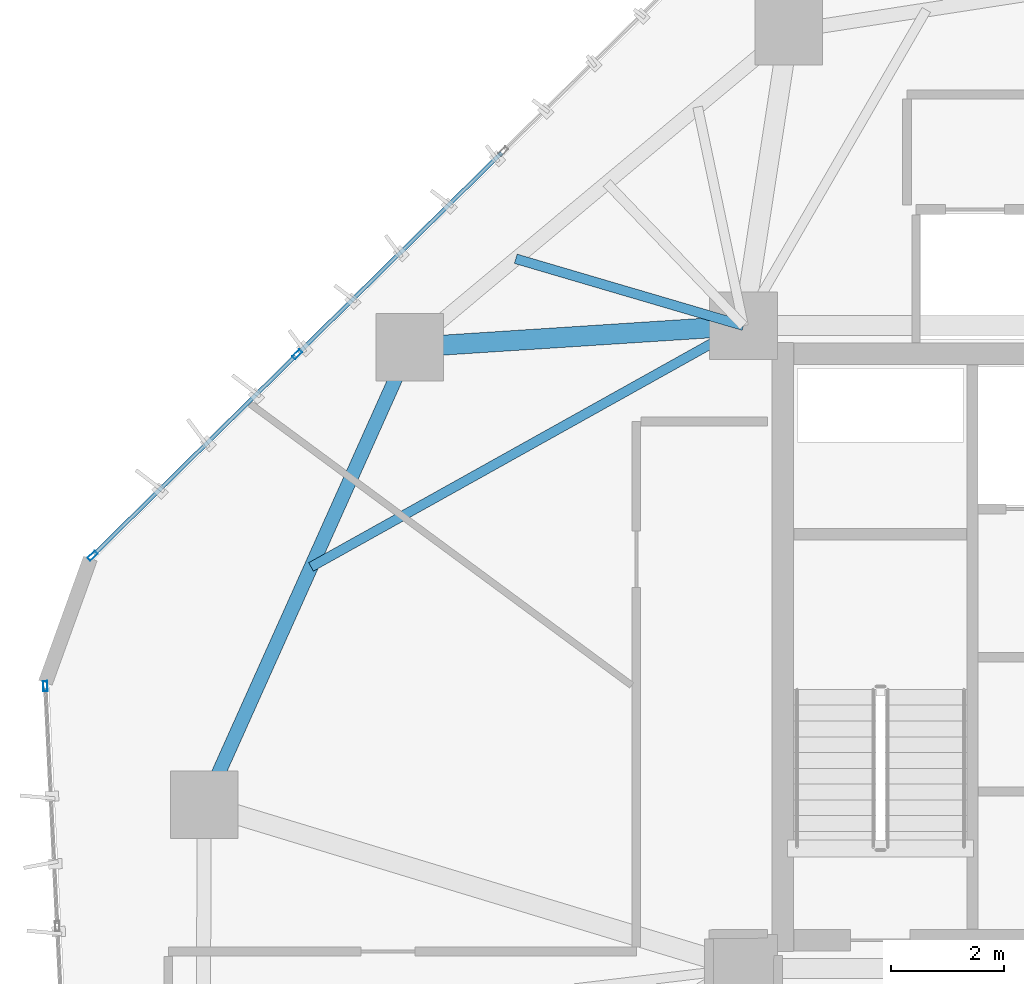
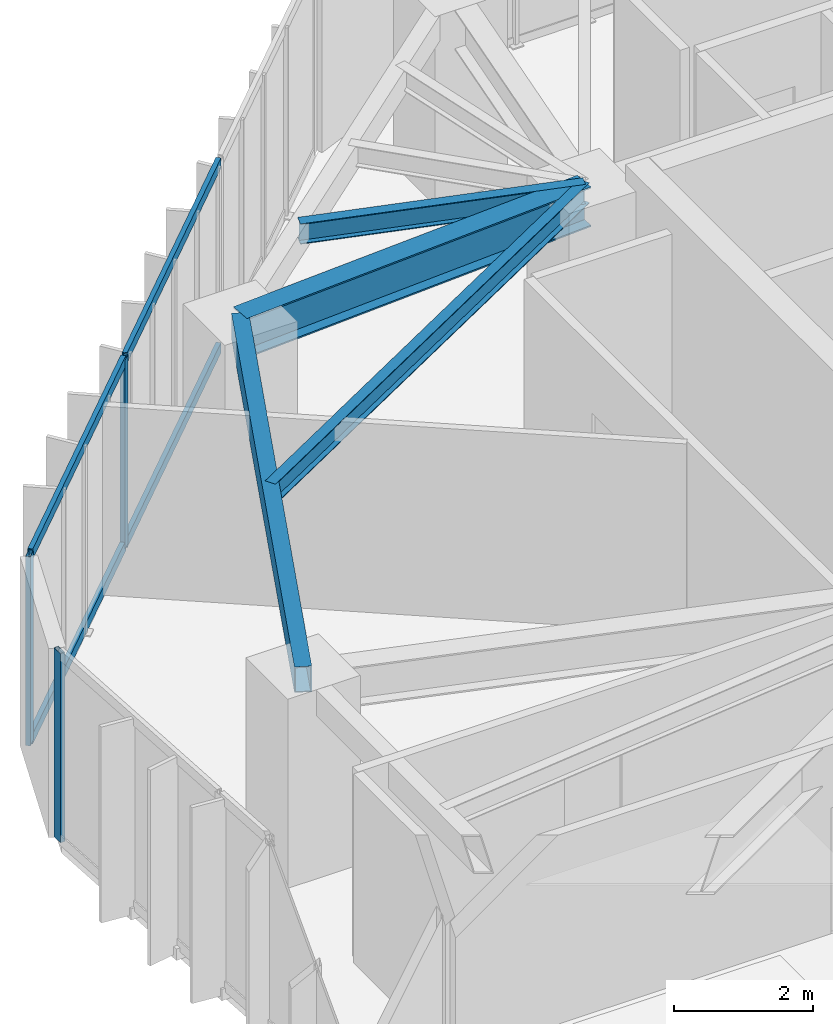
# One storey, part 9 of 21: 7 members, 4 beams, 2 elements without a shape of their own.
"""IFC4 building model written with IfcOpenShell, lengths in metres."""

from ifc_helpers import new_model, si_unit, direction, frame, origin, origin_2d, place, context, subcontext, project, spatial, hollow_rectangle, i_section, extrude, source, transform, mapped, material, layer, layer_set, material_profile, profile_set, type_object, type_shapes, element, aggregate, save


model = new_model("IFC4")

# Units and contexts
model_context = context("Model", 3, precision=1e-05, world=origin(), true_north=direction((0.0, 1.0)))
body_context = subcontext(model_context, "Body", "Model", "MODEL_VIEW")
ifc_project = project(units=[si_unit("LENGTHUNIT", "METRE"), si_unit("AREAUNIT", "SQUARE_METRE"), si_unit("VOLUMEUNIT", "CUBIC_METRE"), si_unit("PLANEANGLEUNIT", "RADIAN"), si_unit("MASSUNIT", "GRAM", prefix="KILO")], contexts=[model_context])

# Site, building, storey
site_placement = place(None, origin())
site = spatial("IfcSite", under=ifc_project, at=site_placement, CompositionType="ELEMENT")
building_placement = place(site_placement, origin())
building = spatial("IfcBuilding", under=site, at=building_placement, Name="Talar Marvaseh", CompositionType="ELEMENT")
storey_placement = place(building_placement, frame((0.0, 0.0, 93.0)))
storey = spatial("IfcBuildingStorey", under=building, at=storey_placement, Name="L23", CompositionType="ELEMENT", Elevation=93.0)

# Beams
ifc_material_1 = material(Name="Steel S355", Category="steel")
ifc_material_profile_1 = material_profile(ifc_material_1, hollow_rectangle(XDim=0.25, YDim=0.449951171875, WallThickness=0.01611328125, at=origin_2d()), Name="RHS450x250x16")
ifc_profile_set_1 = profile_set([ifc_material_profile_1], Name="Steel S355")
beam_type_1 = type_object("IfcBeamType", Name="Zone 2 Perimeter Spandrel Beam RHS450x250x16", PredefinedType="SPANDREL", material=ifc_profile_set_1)
beam_1_placement = place(storey_placement, frame((9.137939453125, 28.402099609375, 3.0849609375), z_axis=(0.409461733275, 0.912327292688, 0.0), x_axis=(-0.912327292688, 0.409461733275, 0.0)))
element("IfcBeam", 1, at=beam_1_placement, inside=storey, type_object=beam_type_1, Name="L23 Zone 2 Perimeter Spandrel Beam RHS450x250x16", PredefinedType="SPANDREL", context=body_context, shape_type="SweptSolid", body=[
    extrude(hollow_rectangle(XDim=0.25, YDim=0.449951171875, WallThickness=0.01611328125, at=origin_2d()), origin(), (0.0, 0.0, 1.0), 8.894775390625),
])
ifc_material_profile_2 = material_profile(ifc_material_1, i_section(OverallWidth=0.35498046875, OverallDepth=0.695068359375, WebThickness=0.015380859375, FlangeThickness=0.02490234375, at=origin_2d()), Name="W690x217")
ifc_profile_set_2 = profile_set([ifc_material_profile_2], Name="Steel S355")
beam_type_2 = type_object("IfcBeamType", Name="Zone 2 Radial Floor Girder W690x217", PredefinedType="BEAM", material=ifc_profile_set_2)
beam_2_placement = place(storey_placement, frame((12.780029296875, 36.51708984375, 2.96240234375), z_axis=(0.997915745008, 0.064530348407, 0.0), x_axis=(-0.064530348407, 0.997915745008, 0.0)))
element("IfcBeam", 2, at=beam_2_placement, inside=storey, type_object=beam_type_2, Name="L23 Zone 2 Radial Floor Girder W690x217", PredefinedType="BEAM", context=body_context, shape_type="SweptSolid", body=[
    extrude(i_section(OverallWidth=0.35498046875, OverallDepth=0.695068359375, WebThickness=0.015380859375, FlangeThickness=0.02490234375, at=origin_2d()), origin(), (0.0, 0.0, 1.0), 5.932373046875),
])
ifc_material_profile_3 = material_profile(ifc_material_1, i_section(OverallWidth=0.172119140625, OverallDepth=0.35791015625, WebThickness=0.0078125, FlangeThickness=0.01318359375, at=origin_2d()), Name="W360x57")
ifc_profile_set_3 = profile_set([ifc_material_profile_3], Name="Steel S355")
beam_type_3 = type_object("IfcBeamType", Name="Zone 2 Secondary Floor Joist W360x57", PredefinedType="JOIST", material=ifc_profile_set_3)
beam_3_placement = place(storey_placement, frame((11.03173828125, 32.621826171875, 3.131103515625), z_axis=(0.873287668061, 0.487204935128, 0.0), x_axis=(-0.487204935128, 0.873287668061, 0.0)))
element("IfcBeam", 3, at=beam_3_placement, inside=storey, type_object=beam_type_3, Name="L23 Zone 2 Secondary Floor Joist W360x57", PredefinedType="JOIST", context=body_context, shape_type="SweptSolid", body=[
    extrude(i_section(OverallWidth=0.172119140625, OverallDepth=0.35791015625, WebThickness=0.0078125, FlangeThickness=0.01318359375, at=origin_2d()), origin(), (0.0, 0.0, 1.0), 8.78076171875),
])
beam_4_placement = place(storey_placement, frame((14.661865234375, 38.086669921875, 3.131103515625), z_axis=(0.959423672171, -0.281968468587, 0.0), x_axis=(0.281968468587, 0.959423672171, 0.0)))
element("IfcBeam", 4, at=beam_4_placement, inside=storey, type_object=beam_type_3, Name="L23 Zone 2 Secondary Floor Joist W360x57", PredefinedType="JOIST", context=body_context, shape_type="SweptSolid", body=[
    extrude(i_section(OverallWidth=0.172119140625, OverallDepth=0.35791015625, WebThickness=0.0078125, FlangeThickness=0.01318359375, at=origin_2d()), origin(), (0.0, 0.0, 1.0), 4.208984375),
])

# Curtain wall, member
ifc_material_2 = material(Name="Architectural Aluminium", Category="aluminium")
ifc_layer = layer(ifc_material_2, 0.199951171875)
ifc_layer_set = layer_set([ifc_layer], Name="Architectural Aluminium")
curtain_wall_type = type_object("IfcCurtainWallType", Name="Unitised Acoustic Library Curtain Wall Z2", PredefinedType="NOTDEFINED", material=ifc_layer_set)
curtain_wall_1_placement = place(storey_placement, origin())
curtain_wall_1 = element("IfcCurtainWall", 5, at=curtain_wall_1_placement, inside=storey, type_object=curtain_wall_type, Name="L23 Unitised Acoustic Library Curtain Wall Z2", PredefinedType="NOTDEFINED")
ifc_material_profile_4 = material_profile(ifc_material_2, hollow_rectangle(XDim=0.074951171875, YDim=0.179931640625, WallThickness=0.0048828125, at=origin_2d()), Name="RHS180x75x5")
ifc_profile_set_4 = profile_set([ifc_material_profile_4], Name="Architectural Aluminium")
member_type_1 = type_object("IfcMemberType", Name="Unitised Curtain Wall Standard Mullion RHS180x75x5", PredefinedType="MULLION", material=ifc_profile_set_4)
shared_shape_1 = source(origin(), body_context, "Body", "SweptSolid", [
    extrude(hollow_rectangle(XDim=0.074951171875, YDim=0.179931640625, WallThickness=0.0048828125, at=origin_2d()), origin(), (0.0, 0.0, 1.0), 3.31005859375),
])
type_shapes(member_type_1, [shared_shape_1])
member_1_placement = place(storey_placement, frame((6.31884765625, 30.508056640625, 0.0), z_axis=(0.0, 0.0, 1.0), x_axis=(-0.998766283229, -0.049657944832, 0.0)))
member_1 = element("IfcMember", 6, at=member_1_placement, type_object=member_type_1, Name="CW-Z2 mullion 5", PredefinedType="MULLION", context=body_context, shape_type="MappedRepresentation", body=[
    mapped(shared_shape_1, transform((0.0, 0.0, 0.0), x_axis=(1.0, 0.0, 0.0), y_axis=(0.0, 1.0, 0.0), z_axis=(0.0, 0.0, 1.0), scale=1.0)),
])
aggregate(curtain_wall_1, [member_1])

# Curtain wall, members
curtain_wall_2_placement = place(storey_placement, origin())
curtain_wall_2 = element("IfcCurtainWall", 7, at=curtain_wall_2_placement, inside=storey, type_object=curtain_wall_type, Name="L23 Unitised Acoustic Library Curtain Wall Z2", PredefinedType="NOTDEFINED")
member_2_placement = place(storey_placement, frame((7.1572265625, 32.81884765625, 0.0), z_axis=(0.0, 0.0, 1.0), x_axis=(-0.701755340758, 0.71241802456, 0.0)))
member_2 = element("IfcMember", 8, at=member_2_placement, type_object=member_type_1, Name="CW-Z2 mullion 1", PredefinedType="MULLION", context=body_context, shape_type="MappedRepresentation", body=[
    mapped(shared_shape_1, transform((0.0, 0.0, 0.0), x_axis=(1.0, 0.0, 0.0), y_axis=(0.0, 1.0, 0.0), z_axis=(0.0, 0.0, 1.0), scale=1.0)),
])
member_3_placement = place(storey_placement, frame((10.785400390625, 36.392578125, 0.0), z_axis=(0.0, 0.0, 1.0), x_axis=(-0.701755340758, 0.71241802456, 0.0)))
member_3 = element("IfcMember", 9, at=member_3_placement, type_object=member_type_1, Name="CW-Z2 mullion 2", PredefinedType="MULLION", context=body_context, shape_type="MappedRepresentation", body=[
    mapped(shared_shape_1, transform((0.0, 0.0, 0.0), x_axis=(1.0, 0.0, 0.0), y_axis=(0.0, 1.0, 0.0), z_axis=(0.0, 0.0, 1.0), scale=1.0)),
])
ifc_material_profile_5 = material_profile(ifc_material_2, hollow_rectangle(XDim=0.074951171875, YDim=0.179931640625, WallThickness=0.0048828125, at=origin_2d()), Name="RHS180x75x5")
ifc_profile_set_5 = profile_set([ifc_material_profile_5], Name="Architectural Aluminium")
member_type_2 = type_object("IfcMemberType", Name="Unitised Curtain Wall Transom RHS180x75x5", PredefinedType="USERDEFINED", material=ifc_profile_set_5)
shared_shape_2 = source(origin(), body_context, "Body", "SweptSolid", [
    extrude(hollow_rectangle(XDim=0.074951171875, YDim=0.179931640625, WallThickness=0.0048828125, at=origin_2d()), origin(), (0.0, 0.0, 1.0), 5.054931640625),
])
member_4_placement = place(storey_placement, frame((10.81201171875, 36.4189453125, 0.03759765625), z_axis=(0.712423417996, 0.70174986533, 0.0), x_axis=(-0.70174986533, 0.712423417996, 0.0)))
member_4 = element("IfcMember", 10, at=member_4_placement, type_object=member_type_2, Name="CW-Z2 transom 2.1", ObjectType="TRANSOM", PredefinedType="USERDEFINED", context=body_context, shape_type="MappedRepresentation", body=[
    mapped(shared_shape_2, transform((0.0, 0.0, 0.0), x_axis=(1.0, 0.0, 0.0), y_axis=(0.0, 1.0, 0.0), z_axis=(0.0, 0.0, 1.0), scale=1.0)),
])
member_5_placement = place(storey_placement, frame((10.81201171875, 36.4189453125, 3.2724609375), z_axis=(0.712423417996, 0.70174986533, 0.0), x_axis=(-0.70174986533, 0.712423417996, 0.0)))
member_5 = element("IfcMember", 11, at=member_5_placement, type_object=member_type_2, Name="CW-Z2 transom 2.2", ObjectType="TRANSOM", PredefinedType="USERDEFINED", context=body_context, shape_type="MappedRepresentation", body=[
    mapped(shared_shape_2, transform((0.0, 0.0, 0.0), x_axis=(1.0, 0.0, 0.0), y_axis=(0.0, 1.0, 0.0), z_axis=(0.0, 0.0, 1.0), scale=1.0)),
])
shared_shape_3 = source(origin(), body_context, "Body", "SweptSolid", [
    extrude(hollow_rectangle(XDim=0.074951171875, YDim=0.179931640625, WallThickness=0.0048828125, at=origin_2d()), origin(), (0.0, 0.0, 1.0), 5.017333984375),
])
type_shapes(member_type_2, [shared_shape_2, shared_shape_3])
member_6_placement = place(storey_placement, frame((7.18408203125, 32.84521484375, 0.03759765625), z_axis=(0.712414855534, 0.70175855792, 0.0), x_axis=(-0.70175855792, 0.712414855534, 0.0)))
member_6 = element("IfcMember", 12, at=member_6_placement, type_object=member_type_2, Name="CW-Z2 transom 1.1", ObjectType="TRANSOM", PredefinedType="USERDEFINED", context=body_context, shape_type="MappedRepresentation", body=[
    mapped(shared_shape_3, transform((0.0, 0.0, 0.0), x_axis=(1.0, 0.0, 0.0), y_axis=(0.0, 1.0, 0.0), z_axis=(0.0, 0.0, 1.0), scale=1.0)),
])
member_7_placement = place(storey_placement, frame((7.18408203125, 32.84521484375, 3.2724609375), z_axis=(0.712414855534, 0.70175855792, 0.0), x_axis=(-0.70175855792, 0.712414855534, 0.0)))
member_7 = element("IfcMember", 13, at=member_7_placement, type_object=member_type_2, Name="CW-Z2 transom 1.2", ObjectType="TRANSOM", PredefinedType="USERDEFINED", context=body_context, shape_type="MappedRepresentation", body=[
    mapped(shared_shape_3, transform((0.0, 0.0, 0.0), x_axis=(1.0, 0.0, 0.0), y_axis=(0.0, 1.0, 0.0), z_axis=(0.0, 0.0, 1.0), scale=1.0)),
])
aggregate(curtain_wall_2, [member_2, member_3, member_6, member_7, member_4, member_5])

save(model, "model.ifc")
